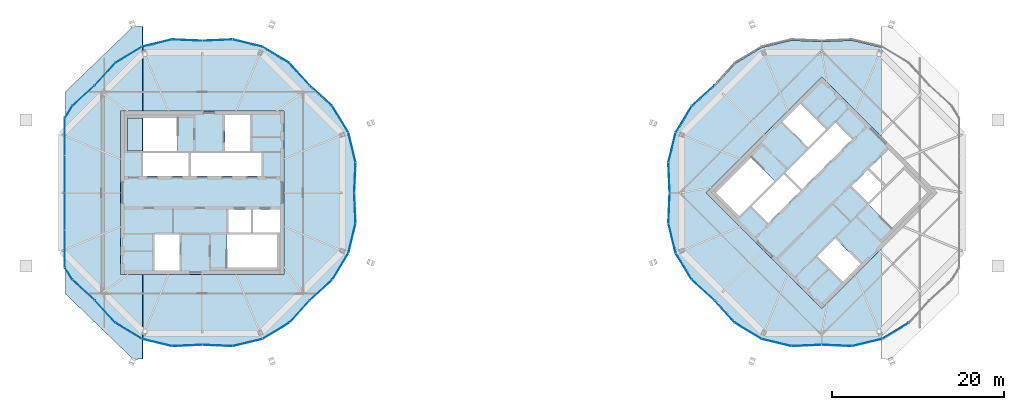
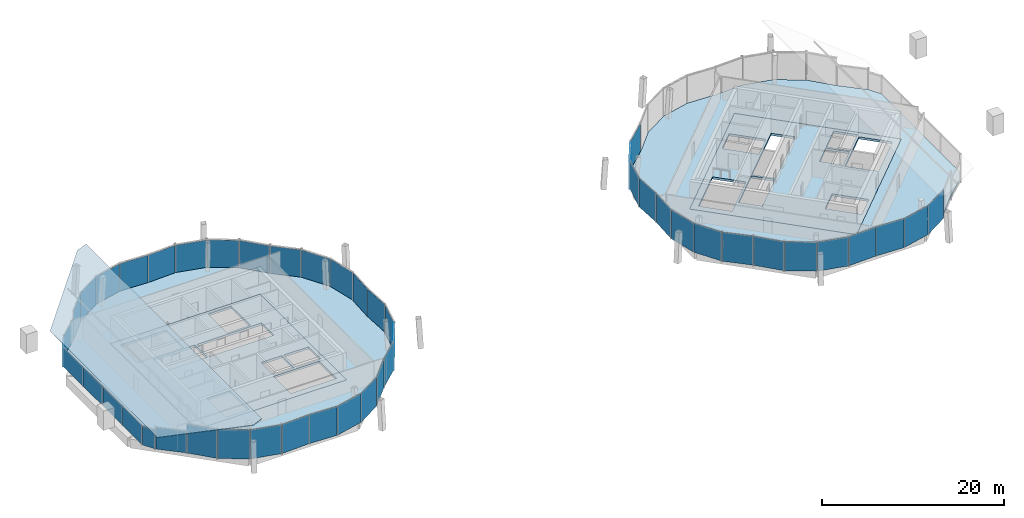
# One storey, part 17 of 23: 48 plates, 4 slabs, 13 elements without a shape of their own.
"""IFC4 building model written with IfcOpenShell, lengths in metres."""

from ifc_helpers import new_model, si_unit, direction, frame, origin, origin_2d, place, context, subcontext, project, spatial, polyline, rectangle, outline, extrude, material, layer, layer_set, type_object, element, aggregate, save


model = new_model("IFC4")

# Units and contexts
model_context = context("Model", 3, precision=1e-05, world=origin(), true_north=direction((0.0, 1.0)))
body_context = subcontext(model_context, "Body", "Model", "MODEL_VIEW")
ifc_project = project(units=[si_unit("LENGTHUNIT", "METRE"), si_unit("AREAUNIT", "SQUARE_METRE"), si_unit("VOLUMEUNIT", "CUBIC_METRE"), si_unit("PLANEANGLEUNIT", "RADIAN"), si_unit("MASSUNIT", "GRAM", prefix="KILO")], contexts=[model_context])

# Site, building, storey
site_placement = place(None, origin())
site = spatial("IfcSite", under=ifc_project, at=site_placement, CompositionType="ELEMENT")
building_placement = place(site_placement, origin())
building = spatial("IfcBuilding", under=site, at=building_placement, Name="Ogive Gate Towers", CompositionType="ELEMENT")
storey_placement = place(building_placement, frame((0.0, 0.0, 302.0)))
storey = spatial("IfcBuildingStorey", under=building, at=storey_placement, Name="L71", CompositionType="ELEMENT", Elevation=302.0)

# Slabs
ifc_material_1 = material(Name="Concrete C40/50", Category="concrete")
ifc_layer_1 = layer(ifc_material_1, 0.300048828125)
ifc_layer_set_1 = layer_set([ifc_layer_1], Name="Core slab C40/50 300 mm")
slab_type_1 = type_object("IfcSlabType", Name="Core slab C40/50 300 mm", PredefinedType="FLOOR", material=ifc_layer_set_1)
slab_1_placement = place(storey_placement, frame((0.0, 0.0, -0.300048828125)))
element("IfcSlab", 1, at=slab_1_placement, inside=storey, type_object=slab_type_1, Name="T1 L71 core slab", PredefinedType="FLOOR", context=body_context, shape_type="SweptSolid", body=[
    extrude(outline(polyline([(-45.5, -9.5), (-45.5, 9.5), (-26.5, 9.5), (-26.5, -9.5), (-45.5, -9.5)]), holes=[polyline([(-42.875, 1.925048828125), (-37.574951171875, 1.925048828125), (-37.574951171875, 4.625), (-42.875, 4.625), (-42.875, 1.925048828125)]), polyline([(-37.324951171875, 4.625), (-37.324951171875, 1.925048828125), (-29.125, 1.925048828125), (-29.125, 4.625), (-37.324951171875, 4.625)]), polyline([(-30.324951171875, -1.925048828125), (-32.97509765625, -1.925048828125), (-32.97509765625, -4.625), (-30.324951171875, -4.625), (-30.324951171875, -1.925048828125)]), polyline([(-26.949951171875, -4.625), (-26.949951171875, -1.925048828125), (-30.074951171875, -1.925048828125), (-30.074951171875, -4.625), (-26.949951171875, -4.625)]), polyline([(-33.375, 4.875), (-30.425048828125, 4.875), (-30.425048828125, 9.050048828125), (-33.375, 9.050048828125), (-33.375, 4.875)]), polyline([(-41.574951171875, -4.875), (-41.574951171875, -9.050048828125), (-38.625, -9.050048828125), (-38.625, -4.875), (-41.574951171875, -4.875)]), polyline([(-44.699951171875, 4.875), (-38.885009765625, 4.875), (-38.885009765625, 8.699951171875), (-44.699951171875, 8.699951171875), (-44.699951171875, 4.875)]), polyline([(-27.300048828125, -8.699951171875), (-27.300048828125, -4.875), (-33.114990234375, -4.875), (-33.114990234375, -8.699951171875), (-27.300048828125, -8.699951171875)])]), origin(), (0.0, 0.0, 1.0), 0.300048828125),
])
slab_2_placement = place(storey_placement, frame((0.0, 0.0, -0.300048828125)))
element("IfcSlab", 2, at=slab_2_placement, inside=storey, type_object=slab_type_1, Name="T2 L71 core slab", PredefinedType="FLOOR", context=body_context, shape_type="SweptSolid", body=[
    extrude(outline(polyline([(36.0, -13.43505859375), (22.56494140625, 0.0), (36.0, 13.43505859375), (49.43505859375, 0.0), (36.0, -13.43505859375)]), holes=[polyline([(29.777587890625, -3.500244140625), (33.525146484375, 0.24755859375), (31.615966796875, 2.15673828125), (27.868408203125, -1.591064453125), (29.777587890625, -3.500244140625)]), polyline([(31.792724609375, 2.33349609375), (33.701904296875, 0.42431640625), (39.500244140625, 6.222412109375), (37.591064453125, 8.131591796875), (31.792724609375, 2.33349609375)]), polyline([(41.3740234375, 2.651611328125), (39.500244140625, 0.77783203125), (41.409423828125, -1.13134765625), (43.283203125, 0.742431640625), (41.3740234375, 2.651611328125)]), polyline([(45.669677734375, 3.12890625), (43.760498046875, 5.0380859375), (41.55078125, 2.828369140625), (43.4599609375, 0.919189453125), (45.669677734375, 3.12890625)]), polyline([(34.408935546875, 5.30322265625), (36.4951171875, 7.389404296875), (33.542724609375, 10.34130859375), (31.456787109375, 8.255615234375), (34.408935546875, 5.30322265625)]), polyline([(35.5048828125, -7.389404296875), (38.457275390625, -10.34130859375), (40.543212890625, -8.255615234375), (37.591064453125, -5.30322265625), (35.5048828125, -7.389404296875)]), polyline([(26.40087890625, -2.70458984375), (30.512939453125, 1.406982421875), (27.80810546875, 4.11181640625), (23.6962890625, 0.0), (26.40087890625, -2.70458984375)]), polyline([(48.3037109375, 0.0), (45.59912109375, 2.70458984375), (41.487060546875, -1.406982421875), (44.19189453125, -4.11181640625), (48.3037109375, 0.0)])]), origin(), (0.0, 0.0, 1.0), 0.300048828125),
])

# Curtain wall, plates
ifc_material_2 = material(Name="Pale metal aluminium", Category="aluminium")
curtain_wall_type = type_object("IfcCurtainWallType", Name="Crown lean wall", PredefinedType="NOTDEFINED", material=ifc_material_2)
curtain_wall_1_placement = place(storey_placement, origin())
curtain_wall_1 = element("IfcCurtainWall", 3, at=curtain_wall_1_placement, inside=storey, type_object=curtain_wall_type, Name="CW5 T1 ECW01", PredefinedType="NOTDEFINED")
ifc_material_3 = material(Name="Clear glass", Category="glass")
ifc_layer_2 = layer(ifc_material_3, 0.028076171875)
ifc_layer_set_2 = layer_set([ifc_layer_2], Name="Crown lean wall glass panel")
plate_type_1 = type_object("IfcPlateType", Name="Crown lean wall glass panel", PredefinedType="CURTAIN_PANEL", material=ifc_layer_set_2)
plate_1_placement = place(storey_placement, frame((-22.206787109375, 11.297119140625, -0.2998046875), z_axis=(0.0, 0.0, 1.0), x_axis=(0.737088647689, -0.675796067943, 0.0)))
plate_1 = element("IfcPlate", 4, at=plate_1_placement, type_object=plate_type_1, Name="CW5 glass panel", PredefinedType="CURTAIN_PANEL", context=body_context, shape_type="SweptSolid", body=[
    extrude(rectangle(XDim=3.489501953125, YDim=0.028076171875, at=origin_2d()), origin(), (0.0, 0.0, 1.0), 3.904052734375),
])
plate_2_placement = place(storey_placement, frame((-19.966796875, 8.564453125, -0.2998046875), z_axis=(0.0, 0.0, 1.0), x_axis=(0.519891890411, -0.854232065826, 0.0)))
plate_2 = element("IfcPlate", 5, at=plate_2_placement, type_object=plate_type_1, Name="CW5 glass panel", PredefinedType="CURTAIN_PANEL", context=body_context, shape_type="SweptSolid", body=[
    extrude(rectangle(XDim=3.544189453125, YDim=0.028076171875, at=origin_2d()), origin(), (0.0, 0.0, 1.0), 3.904052734375),
])
plate_3_placement = place(storey_placement, frame((-18.606689453125, 5.28125, -0.2998046875), z_axis=(0.0, 0.0, 1.0), x_axis=(0.236414205259, -0.971652367646, 0.0)))
plate_3 = element("IfcPlate", 6, at=plate_3_placement, type_object=plate_type_1, Name="CW5 glass panel", PredefinedType="CURTAIN_PANEL", context=body_context, shape_type="SweptSolid", body=[
    extrude(rectangle(XDim=3.5439453125, YDim=0.028076171875, at=origin_2d()), origin(), (0.0, 0.0, 1.0), 3.904052734375),
])
plate_4_placement = place(storey_placement, frame((-18.25830078125, 1.76513671875, -0.2998046875), z_axis=(0.0, 0.0, 1.0), x_axis=(-0.043340398775, -0.999060363459, 0.0)))
plate_4 = element("IfcPlate", 7, at=plate_4_placement, type_object=plate_type_1, Name="CW5 glass panel", PredefinedType="CURTAIN_PANEL", context=body_context, shape_type="SweptSolid", body=[
    extrude(rectangle(XDim=3.489501953125, YDim=0.028076171875, at=origin_2d()), origin(), (0.0, 0.0, 1.0), 3.904052734375),
])
aggregate(curtain_wall_1, [plate_1, plate_2, plate_3, plate_4])

curtain_wall_2_placement = place(storey_placement, origin())
curtain_wall_2 = element("IfcCurtainWall", 8, at=curtain_wall_2_placement, inside=storey, type_object=curtain_wall_type, Name="CW5 T1 ECW02", PredefinedType="NOTDEFINED")
plate_5_placement = place(storey_placement, frame((-34.23486328125, 17.74169921875, -0.2998046875), z_axis=(0.0, 0.0, 1.0), x_axis=(0.999060363459, 0.043340398775, 0.0)))
plate_5 = element("IfcPlate", 9, at=plate_5_placement, type_object=plate_type_1, Name="CW5 glass panel", PredefinedType="CURTAIN_PANEL", context=body_context, shape_type="SweptSolid", body=[
    extrude(rectangle(XDim=3.489501953125, YDim=0.028076171875, at=origin_2d()), origin(), (0.0, 0.0, 1.0), 3.904052734375),
])
plate_6_placement = place(storey_placement, frame((-30.71875, 17.393310546875, -0.2998046875), z_axis=(0.0, 0.0, 1.0), x_axis=(0.971652367646, -0.236414205259, 0.0)))
plate_6 = element("IfcPlate", 10, at=plate_6_placement, type_object=plate_type_1, Name="CW5 glass panel", PredefinedType="CURTAIN_PANEL", context=body_context, shape_type="SweptSolid", body=[
    extrude(rectangle(XDim=3.5439453125, YDim=0.028076171875, at=origin_2d()), origin(), (0.0, 0.0, 1.0), 3.904052734375),
])
plate_7_placement = place(storey_placement, frame((-27.435546875, 16.033203125, -0.2998046875), z_axis=(0.0, 0.0, 1.0), x_axis=(0.854232065826, -0.519891890411, 0.0)))
plate_7 = element("IfcPlate", 11, at=plate_7_placement, type_object=plate_type_1, Name="CW5 glass panel", PredefinedType="CURTAIN_PANEL", context=body_context, shape_type="SweptSolid", body=[
    extrude(rectangle(XDim=3.544189453125, YDim=0.028076171875, at=origin_2d()), origin(), (0.0, 0.0, 1.0), 3.904052734375),
])
plate_8_placement = place(storey_placement, frame((-24.702880859375, 13.793212890625, -0.2998046875), z_axis=(0.0, 0.0, 1.0), x_axis=(0.675796067943, -0.737088647689, 0.0)))
plate_8 = element("IfcPlate", 12, at=plate_8_placement, type_object=plate_type_1, Name="CW5 glass panel", PredefinedType="CURTAIN_PANEL", context=body_context, shape_type="SweptSolid", body=[
    extrude(rectangle(XDim=3.489501953125, YDim=0.028076171875, at=origin_2d()), origin(), (0.0, 0.0, 1.0), 3.904052734375),
])
aggregate(curtain_wall_2, [plate_5, plate_6, plate_7, plate_8])

curtain_wall_3_placement = place(storey_placement, origin())
curtain_wall_3 = element("IfcCurtainWall", 13, at=curtain_wall_3_placement, inside=storey, type_object=curtain_wall_type, Name="CW5 T1 ECW03", PredefinedType="NOTDEFINED")
plate_9_placement = place(storey_placement, frame((-47.297119140625, 13.793212890625, -0.2998046875), z_axis=(0.0, 0.0, 1.0), x_axis=(0.675796067943, 0.737088647689, 0.0)))
plate_9 = element("IfcPlate", 14, at=plate_9_placement, type_object=plate_type_1, Name="CW5 glass panel", PredefinedType="CURTAIN_PANEL", context=body_context, shape_type="SweptSolid", body=[
    extrude(rectangle(XDim=3.489501953125, YDim=0.028076171875, at=origin_2d()), origin(), (0.0, 0.0, 1.0), 3.904052734375),
])
plate_10_placement = place(storey_placement, frame((-44.564453125, 16.033203125, -0.2998046875), z_axis=(0.0, 0.0, 1.0), x_axis=(0.854232065826, 0.519891890411, 0.0)))
plate_10 = element("IfcPlate", 15, at=plate_10_placement, type_object=plate_type_1, Name="CW5 glass panel", PredefinedType="CURTAIN_PANEL", context=body_context, shape_type="SweptSolid", body=[
    extrude(rectangle(XDim=3.544189453125, YDim=0.028076171875, at=origin_2d()), origin(), (0.0, 0.0, 1.0), 3.904052734375),
])
plate_11_placement = place(storey_placement, frame((-41.28125, 17.393310546875, -0.2998046875), z_axis=(0.0, 0.0, 1.0), x_axis=(0.971652367646, 0.236414205259, 0.0)))
plate_11 = element("IfcPlate", 16, at=plate_11_placement, type_object=plate_type_1, Name="CW5 glass panel", PredefinedType="CURTAIN_PANEL", context=body_context, shape_type="SweptSolid", body=[
    extrude(rectangle(XDim=3.5439453125, YDim=0.028076171875, at=origin_2d()), origin(), (0.0, 0.0, 1.0), 3.904052734375),
])
plate_12_placement = place(storey_placement, frame((-37.76513671875, 17.74169921875, -0.2998046875), z_axis=(0.0, 0.0, 1.0), x_axis=(0.999060363459, -0.043340398775, 0.0)))
plate_12 = element("IfcPlate", 17, at=plate_12_placement, type_object=plate_type_1, Name="CW5 glass panel", PredefinedType="CURTAIN_PANEL", context=body_context, shape_type="SweptSolid", body=[
    extrude(rectangle(XDim=3.489501953125, YDim=0.028076171875, at=origin_2d()), origin(), (0.0, 0.0, 1.0), 3.904052734375),
])
aggregate(curtain_wall_3, [plate_9, plate_10, plate_11, plate_12])

# Curtain wall, plate
curtain_wall_4_placement = place(storey_placement, origin())
curtain_wall_4 = element("IfcCurtainWall", 18, at=curtain_wall_4_placement, inside=storey, type_object=curtain_wall_type, Name="CW5 T1 ECW04", PredefinedType="NOTDEFINED")
plate_13_placement = place(storey_placement, frame((-49.794921875, 11.2958984375, -0.2998046875), z_axis=(0.0, 0.0, 1.0), x_axis=(0.737088647689, 0.675796067943, 0.0)))
plate_13 = element("IfcPlate", 19, at=plate_13_placement, type_object=plate_type_1, Name="CW5 glass panel", PredefinedType="CURTAIN_PANEL", context=body_context, shape_type="SweptSolid", body=[
    extrude(rectangle(XDim=3.493408203125, YDim=0.028076171875, at=origin_2d()), origin(), (0.0, 0.0, 1.0), 2.929443359375),
])
aggregate(curtain_wall_4, [plate_13])

# Curtain wall, plates
curtain_wall_5_placement = place(storey_placement, origin())
curtain_wall_5 = element("IfcCurtainWall", 20, at=curtain_wall_5_placement, inside=storey, type_object=curtain_wall_type, Name="CW5 T1 ECW04b", PredefinedType="NOTDEFINED")
plate_14_placement = place(storey_placement, frame((-51.970703125, 2.1669921875, -0.300048828125), z_axis=(0.0, 0.0, 1.0), x_axis=(0.0, 1.0, 0.0)))
plate_14 = element("IfcPlate", 21, at=plate_14_placement, type_object=plate_type_1, Name="CW5 glass panel", PredefinedType="CURTAIN_PANEL", context=body_context, shape_type="SweptSolid", body=[
    extrude(rectangle(XDim=4.289794921875, YDim=0.028076171875, at=origin_2d()), origin(), (0.0, 0.0, 1.0), 2.583984375),
])
plate_15_placement = place(storey_placement, frame((-51.970703125, 6.497802734375, -0.300048828125), z_axis=(0.0, 0.0, 1.0), x_axis=(0.0, 1.0, 0.0)))
plate_15 = element("IfcPlate", 22, at=plate_15_placement, type_object=plate_type_1, Name="CW5 glass panel", PredefinedType="CURTAIN_PANEL", context=body_context, shape_type="SweptSolid", body=[
    extrude(rectangle(XDim=4.283935546875, YDim=0.028076171875, at=origin_2d()), origin(), (0.0, 0.0, 1.0), 2.583984375),
])
plate_16_placement = place(storey_placement, frame((-51.532958984375, 9.38671875, -0.2998046875), z_axis=(0.0, 0.0, 1.0), x_axis=(0.519906799494, 0.85422299187, 0.0)))
plate_16 = element("IfcPlate", 23, at=plate_16_placement, type_object=plate_type_1, Name="CW5 glass panel", PredefinedType="CURTAIN_PANEL", context=body_context, shape_type="SweptSolid", body=[
    extrude(rectangle(XDim=1.62744140625, YDim=0.028076171875, at=origin_2d()), origin(), (0.0, 0.0, 1.0), 2.539306640625),
])
aggregate(curtain_wall_5, [plate_14, plate_15, plate_16])

curtain_wall_6_placement = place(storey_placement, origin())
curtain_wall_6 = element("IfcCurtainWall", 24, at=curtain_wall_6_placement, inside=storey, type_object=curtain_wall_type, Name="CW5 T1 ECW05", PredefinedType="NOTDEFINED")
plate_17_placement = place(storey_placement, frame((-49.793212890625, -11.297119140625, -0.2998046875), z_axis=(0.0, 0.0, 1.0), x_axis=(-0.737088647689, 0.675796067943, 0.0)))
plate_17 = element("IfcPlate", 25, at=plate_17_placement, type_object=plate_type_1, Name="CW5 glass panel", PredefinedType="CURTAIN_PANEL", context=body_context, shape_type="SweptSolid", body=[
    extrude(rectangle(XDim=3.489501953125, YDim=0.028076171875, at=origin_2d()), origin(), (0.0, 0.0, 1.0), 2.929443359375),
])
plate_18_placement = place(storey_placement, frame((-51.533935546875, -9.385009765625, -0.2998046875), z_axis=(0.0, 0.0, 1.0), x_axis=(-0.519906799494, 0.85422299187, 0.0)))
plate_18 = element("IfcPlate", 26, at=plate_18_placement, type_object=plate_type_1, Name="CW5 glass panel", PredefinedType="CURTAIN_PANEL", context=body_context, shape_type="SweptSolid", body=[
    extrude(rectangle(XDim=1.62353515625, YDim=0.028076171875, at=origin_2d()), origin(), (0.0, 0.0, 1.0), 2.539306640625),
])
plate_19_placement = place(storey_placement, frame((-51.970703125, -6.497802734375, -0.300048828125), z_axis=(0.0, 0.0, 1.0), x_axis=(0.0, 1.0, 0.0)))
plate_19 = element("IfcPlate", 27, at=plate_19_placement, type_object=plate_type_1, Name="CW5 glass panel", PredefinedType="CURTAIN_PANEL", context=body_context, shape_type="SweptSolid", body=[
    extrude(rectangle(XDim=4.283935546875, YDim=0.028076171875, at=origin_2d()), origin(), (0.0, 0.0, 1.0), 2.583984375),
])
plate_20_placement = place(storey_placement, frame((-51.970703125, -2.1669921875, -0.300048828125), z_axis=(0.0, 0.0, 1.0), x_axis=(0.0, 1.0, 0.0)))
plate_20 = element("IfcPlate", 28, at=plate_20_placement, type_object=plate_type_1, Name="CW5 glass panel", PredefinedType="CURTAIN_PANEL", context=body_context, shape_type="SweptSolid", body=[
    extrude(rectangle(XDim=4.289794921875, YDim=0.028076171875, at=origin_2d()), origin(), (0.0, 0.0, 1.0), 2.583984375),
])
aggregate(curtain_wall_6, [plate_17, plate_18, plate_19, plate_20])

curtain_wall_7_placement = place(storey_placement, origin())
curtain_wall_7 = element("IfcCurtainWall", 29, at=curtain_wall_7_placement, inside=storey, type_object=curtain_wall_type, Name="CW5 T1 ECW06", PredefinedType="NOTDEFINED")
plate_21_placement = place(storey_placement, frame((-37.76513671875, -17.74169921875, -0.2998046875), z_axis=(0.0, 0.0, 1.0), x_axis=(-0.999060363459, -0.043340398775, 0.0)))
plate_21 = element("IfcPlate", 30, at=plate_21_placement, type_object=plate_type_1, Name="CW5 glass panel", PredefinedType="CURTAIN_PANEL", context=body_context, shape_type="SweptSolid", body=[
    extrude(rectangle(XDim=3.489501953125, YDim=0.028076171875, at=origin_2d()), origin(), (0.0, 0.0, 1.0), 3.904052734375),
])
plate_22_placement = place(storey_placement, frame((-41.28125, -17.393310546875, -0.2998046875), z_axis=(0.0, 0.0, 1.0), x_axis=(-0.971652367646, 0.236414205259, 0.0)))
plate_22 = element("IfcPlate", 31, at=plate_22_placement, type_object=plate_type_1, Name="CW5 glass panel", PredefinedType="CURTAIN_PANEL", context=body_context, shape_type="SweptSolid", body=[
    extrude(rectangle(XDim=3.5439453125, YDim=0.028076171875, at=origin_2d()), origin(), (0.0, 0.0, 1.0), 3.904052734375),
])
plate_23_placement = place(storey_placement, frame((-44.564453125, -16.033203125, -0.2998046875), z_axis=(0.0, 0.0, 1.0), x_axis=(-0.854232065826, 0.519891890411, 0.0)))
plate_23 = element("IfcPlate", 32, at=plate_23_placement, type_object=plate_type_1, Name="CW5 glass panel", PredefinedType="CURTAIN_PANEL", context=body_context, shape_type="SweptSolid", body=[
    extrude(rectangle(XDim=3.544189453125, YDim=0.028076171875, at=origin_2d()), origin(), (0.0, 0.0, 1.0), 3.904052734375),
])
plate_24_placement = place(storey_placement, frame((-47.297119140625, -13.793212890625, -0.2998046875), z_axis=(0.0, 0.0, 1.0), x_axis=(-0.675796067943, 0.737088647689, 0.0)))
plate_24 = element("IfcPlate", 33, at=plate_24_placement, type_object=plate_type_1, Name="CW5 glass panel", PredefinedType="CURTAIN_PANEL", context=body_context, shape_type="SweptSolid", body=[
    extrude(rectangle(XDim=3.489501953125, YDim=0.028076171875, at=origin_2d()), origin(), (0.0, 0.0, 1.0), 3.904052734375),
])
aggregate(curtain_wall_7, [plate_21, plate_22, plate_23, plate_24])

curtain_wall_8_placement = place(storey_placement, origin())
curtain_wall_8 = element("IfcCurtainWall", 34, at=curtain_wall_8_placement, inside=storey, type_object=curtain_wall_type, Name="CW5 T1 ECW07", PredefinedType="NOTDEFINED")
plate_25_placement = place(storey_placement, frame((-24.702880859375, -13.793212890625, -0.2998046875), z_axis=(0.0, 0.0, 1.0), x_axis=(-0.675796067943, -0.737088647689, 0.0)))
plate_25 = element("IfcPlate", 35, at=plate_25_placement, type_object=plate_type_1, Name="CW5 glass panel", PredefinedType="CURTAIN_PANEL", context=body_context, shape_type="SweptSolid", body=[
    extrude(rectangle(XDim=3.489501953125, YDim=0.028076171875, at=origin_2d()), origin(), (0.0, 0.0, 1.0), 3.904052734375),
])
plate_26_placement = place(storey_placement, frame((-27.435546875, -16.033203125, -0.2998046875), z_axis=(0.0, 0.0, 1.0), x_axis=(-0.854232065826, -0.519891890411, 0.0)))
plate_26 = element("IfcPlate", 36, at=plate_26_placement, type_object=plate_type_1, Name="CW5 glass panel", PredefinedType="CURTAIN_PANEL", context=body_context, shape_type="SweptSolid", body=[
    extrude(rectangle(XDim=3.544189453125, YDim=0.028076171875, at=origin_2d()), origin(), (0.0, 0.0, 1.0), 3.904052734375),
])
plate_27_placement = place(storey_placement, frame((-30.71875, -17.393310546875, -0.2998046875), z_axis=(0.0, 0.0, 1.0), x_axis=(-0.971652367646, -0.236414205259, 0.0)))
plate_27 = element("IfcPlate", 37, at=plate_27_placement, type_object=plate_type_1, Name="CW5 glass panel", PredefinedType="CURTAIN_PANEL", context=body_context, shape_type="SweptSolid", body=[
    extrude(rectangle(XDim=3.5439453125, YDim=0.028076171875, at=origin_2d()), origin(), (0.0, 0.0, 1.0), 3.904052734375),
])
plate_28_placement = place(storey_placement, frame((-34.23486328125, -17.74169921875, -0.2998046875), z_axis=(0.0, 0.0, 1.0), x_axis=(-0.999060363459, 0.043340398775, 0.0)))
plate_28 = element("IfcPlate", 38, at=plate_28_placement, type_object=plate_type_1, Name="CW5 glass panel", PredefinedType="CURTAIN_PANEL", context=body_context, shape_type="SweptSolid", body=[
    extrude(rectangle(XDim=3.489501953125, YDim=0.028076171875, at=origin_2d()), origin(), (0.0, 0.0, 1.0), 3.904052734375),
])
aggregate(curtain_wall_8, [plate_25, plate_26, plate_27, plate_28])

curtain_wall_9_placement = place(storey_placement, origin())
curtain_wall_9 = element("IfcCurtainWall", 39, at=curtain_wall_9_placement, inside=storey, type_object=curtain_wall_type, Name="CW5 T1 ECW08", PredefinedType="NOTDEFINED")
plate_29_placement = place(storey_placement, frame((-18.25830078125, -1.76513671875, -0.2998046875), z_axis=(0.0, 0.0, 1.0), x_axis=(0.043340398775, -0.999060363459, 0.0)))
plate_29 = element("IfcPlate", 40, at=plate_29_placement, type_object=plate_type_1, Name="CW5 glass panel", PredefinedType="CURTAIN_PANEL", context=body_context, shape_type="SweptSolid", body=[
    extrude(rectangle(XDim=3.489501953125, YDim=0.028076171875, at=origin_2d()), origin(), (0.0, 0.0, 1.0), 3.904052734375),
])
plate_30_placement = place(storey_placement, frame((-18.606689453125, -5.28125, -0.2998046875), z_axis=(0.0, 0.0, 1.0), x_axis=(-0.236414205259, -0.971652367646, 0.0)))
plate_30 = element("IfcPlate", 41, at=plate_30_placement, type_object=plate_type_1, Name="CW5 glass panel", PredefinedType="CURTAIN_PANEL", context=body_context, shape_type="SweptSolid", body=[
    extrude(rectangle(XDim=3.5439453125, YDim=0.028076171875, at=origin_2d()), origin(), (0.0, 0.0, 1.0), 3.904052734375),
])
plate_31_placement = place(storey_placement, frame((-19.966796875, -8.564453125, -0.2998046875), z_axis=(0.0, 0.0, 1.0), x_axis=(-0.519891890411, -0.854232065826, 0.0)))
plate_31 = element("IfcPlate", 42, at=plate_31_placement, type_object=plate_type_1, Name="CW5 glass panel", PredefinedType="CURTAIN_PANEL", context=body_context, shape_type="SweptSolid", body=[
    extrude(rectangle(XDim=3.544189453125, YDim=0.028076171875, at=origin_2d()), origin(), (0.0, 0.0, 1.0), 3.904052734375),
])
plate_32_placement = place(storey_placement, frame((-22.206787109375, -11.297119140625, -0.2998046875), z_axis=(0.0, 0.0, 1.0), x_axis=(-0.737088647689, -0.675796067943, 0.0)))
plate_32 = element("IfcPlate", 43, at=plate_32_placement, type_object=plate_type_1, Name="CW5 glass panel", PredefinedType="CURTAIN_PANEL", context=body_context, shape_type="SweptSolid", body=[
    extrude(rectangle(XDim=3.489501953125, YDim=0.028076171875, at=origin_2d()), origin(), (0.0, 0.0, 1.0), 3.904052734375),
])
aggregate(curtain_wall_9, [plate_29, plate_30, plate_31, plate_32])

curtain_wall_10_placement = place(storey_placement, origin())
curtain_wall_10 = element("IfcCurtainWall", 44, at=curtain_wall_10_placement, inside=storey, type_object=curtain_wall_type, Name="CW5 T2 ECW04", PredefinedType="NOTDEFINED")
plate_33_placement = place(storey_placement, frame((18.25830078125, 1.76513671875, -0.2998046875), z_axis=(0.0, 0.0, 1.0), x_axis=(-0.043340398775, 0.999060363459, 0.0)))
plate_33 = element("IfcPlate", 45, at=plate_33_placement, type_object=plate_type_1, Name="CW5 glass panel", PredefinedType="CURTAIN_PANEL", context=body_context, shape_type="SweptSolid", body=[
    extrude(rectangle(XDim=3.489501953125, YDim=0.028076171875, at=origin_2d()), origin(), (0.0, 0.0, 1.0), 3.904052734375),
])
plate_34_placement = place(storey_placement, frame((18.606689453125, 5.28125, -0.2998046875), z_axis=(0.0, 0.0, 1.0), x_axis=(0.236414205259, 0.971652367646, 0.0)))
plate_34 = element("IfcPlate", 46, at=plate_34_placement, type_object=plate_type_1, Name="CW5 glass panel", PredefinedType="CURTAIN_PANEL", context=body_context, shape_type="SweptSolid", body=[
    extrude(rectangle(XDim=3.5439453125, YDim=0.028076171875, at=origin_2d()), origin(), (0.0, 0.0, 1.0), 3.904052734375),
])
plate_35_placement = place(storey_placement, frame((19.966796875, 8.564453125, -0.2998046875), z_axis=(0.0, 0.0, 1.0), x_axis=(0.519891890411, 0.854232065826, 0.0)))
plate_35 = element("IfcPlate", 47, at=plate_35_placement, type_object=plate_type_1, Name="CW5 glass panel", PredefinedType="CURTAIN_PANEL", context=body_context, shape_type="SweptSolid", body=[
    extrude(rectangle(XDim=3.544189453125, YDim=0.028076171875, at=origin_2d()), origin(), (0.0, 0.0, 1.0), 3.904052734375),
])
plate_36_placement = place(storey_placement, frame((22.206787109375, 11.297119140625, -0.2998046875), z_axis=(0.0, 0.0, 1.0), x_axis=(0.737088647689, 0.675796067943, 0.0)))
plate_36 = element("IfcPlate", 48, at=plate_36_placement, type_object=plate_type_1, Name="CW5 glass panel", PredefinedType="CURTAIN_PANEL", context=body_context, shape_type="SweptSolid", body=[
    extrude(rectangle(XDim=3.489501953125, YDim=0.028076171875, at=origin_2d()), origin(), (0.0, 0.0, 1.0), 3.904052734375),
])
aggregate(curtain_wall_10, [plate_33, plate_34, plate_35, plate_36])

curtain_wall_11_placement = place(storey_placement, origin())
curtain_wall_11 = element("IfcCurtainWall", 49, at=curtain_wall_11_placement, inside=storey, type_object=curtain_wall_type, Name="CW5 T2 ECW05", PredefinedType="NOTDEFINED")
plate_37_placement = place(storey_placement, frame((22.206787109375, -11.297119140625, -0.2998046875), z_axis=(0.0, 0.0, 1.0), x_axis=(-0.737088647689, 0.675796067943, 0.0)))
plate_37 = element("IfcPlate", 50, at=plate_37_placement, type_object=plate_type_1, Name="CW5 glass panel", PredefinedType="CURTAIN_PANEL", context=body_context, shape_type="SweptSolid", body=[
    extrude(rectangle(XDim=3.489501953125, YDim=0.028076171875, at=origin_2d()), origin(), (0.0, 0.0, 1.0), 3.904052734375),
])
plate_38_placement = place(storey_placement, frame((19.966796875, -8.564453125, -0.2998046875), z_axis=(0.0, 0.0, 1.0), x_axis=(-0.519891890411, 0.854232065826, 0.0)))
plate_38 = element("IfcPlate", 51, at=plate_38_placement, type_object=plate_type_1, Name="CW5 glass panel", PredefinedType="CURTAIN_PANEL", context=body_context, shape_type="SweptSolid", body=[
    extrude(rectangle(XDim=3.544189453125, YDim=0.028076171875, at=origin_2d()), origin(), (0.0, 0.0, 1.0), 3.904052734375),
])
plate_39_placement = place(storey_placement, frame((18.606689453125, -5.28125, -0.2998046875), z_axis=(0.0, 0.0, 1.0), x_axis=(-0.236414205259, 0.971652367646, 0.0)))
plate_39 = element("IfcPlate", 52, at=plate_39_placement, type_object=plate_type_1, Name="CW5 glass panel", PredefinedType="CURTAIN_PANEL", context=body_context, shape_type="SweptSolid", body=[
    extrude(rectangle(XDim=3.5439453125, YDim=0.028076171875, at=origin_2d()), origin(), (0.0, 0.0, 1.0), 3.904052734375),
])
plate_40_placement = place(storey_placement, frame((18.25830078125, -1.76513671875, -0.2998046875), z_axis=(0.0, 0.0, 1.0), x_axis=(0.043340398775, 0.999060363459, 0.0)))
plate_40 = element("IfcPlate", 53, at=plate_40_placement, type_object=plate_type_1, Name="CW5 glass panel", PredefinedType="CURTAIN_PANEL", context=body_context, shape_type="SweptSolid", body=[
    extrude(rectangle(XDim=3.489501953125, YDim=0.028076171875, at=origin_2d()), origin(), (0.0, 0.0, 1.0), 3.904052734375),
])
aggregate(curtain_wall_11, [plate_37, plate_38, plate_39, plate_40])

curtain_wall_12_placement = place(storey_placement, origin())
curtain_wall_12 = element("IfcCurtainWall", 54, at=curtain_wall_12_placement, inside=storey, type_object=curtain_wall_type, Name="CW5 T2 ECW06", PredefinedType="NOTDEFINED")
plate_41_placement = place(storey_placement, frame((34.23486328125, -17.74169921875, -0.2998046875), z_axis=(0.0, 0.0, 1.0), x_axis=(-0.999060363459, -0.043340398775, 0.0)))
plate_41 = element("IfcPlate", 55, at=plate_41_placement, type_object=plate_type_1, Name="CW5 glass panel", PredefinedType="CURTAIN_PANEL", context=body_context, shape_type="SweptSolid", body=[
    extrude(rectangle(XDim=3.489501953125, YDim=0.028076171875, at=origin_2d()), origin(), (0.0, 0.0, 1.0), 3.904052734375),
])
plate_42_placement = place(storey_placement, frame((30.71875, -17.393310546875, -0.2998046875), z_axis=(0.0, 0.0, 1.0), x_axis=(-0.971652367646, 0.236414205259, 0.0)))
plate_42 = element("IfcPlate", 56, at=plate_42_placement, type_object=plate_type_1, Name="CW5 glass panel", PredefinedType="CURTAIN_PANEL", context=body_context, shape_type="SweptSolid", body=[
    extrude(rectangle(XDim=3.5439453125, YDim=0.028076171875, at=origin_2d()), origin(), (0.0, 0.0, 1.0), 3.904052734375),
])
plate_43_placement = place(storey_placement, frame((27.435546875, -16.033203125, -0.2998046875), z_axis=(0.0, 0.0, 1.0), x_axis=(-0.854232065826, 0.519891890411, 0.0)))
plate_43 = element("IfcPlate", 57, at=plate_43_placement, type_object=plate_type_1, Name="CW5 glass panel", PredefinedType="CURTAIN_PANEL", context=body_context, shape_type="SweptSolid", body=[
    extrude(rectangle(XDim=3.544189453125, YDim=0.028076171875, at=origin_2d()), origin(), (0.0, 0.0, 1.0), 3.904052734375),
])
plate_44_placement = place(storey_placement, frame((24.702880859375, -13.793212890625, -0.2998046875), z_axis=(0.0, 0.0, 1.0), x_axis=(-0.675796067943, 0.737088647689, 0.0)))
plate_44 = element("IfcPlate", 58, at=plate_44_placement, type_object=plate_type_1, Name="CW5 glass panel", PredefinedType="CURTAIN_PANEL", context=body_context, shape_type="SweptSolid", body=[
    extrude(rectangle(XDim=3.489501953125, YDim=0.028076171875, at=origin_2d()), origin(), (0.0, 0.0, 1.0), 3.904052734375),
])
aggregate(curtain_wall_12, [plate_41, plate_42, plate_43, plate_44])

curtain_wall_13_placement = place(storey_placement, origin())
curtain_wall_13 = element("IfcCurtainWall", 59, at=curtain_wall_13_placement, inside=storey, type_object=curtain_wall_type, Name="CW5 T2 ECW07", PredefinedType="NOTDEFINED")
plate_45_placement = place(storey_placement, frame((44.564453125, -16.033203125, -0.2998046875), z_axis=(0.0, 0.0, 1.0), x_axis=(-0.854232065826, -0.519891890411, 0.0)))
plate_45 = element("IfcPlate", 60, at=plate_45_placement, type_object=plate_type_1, Name="CW5 glass panel", PredefinedType="CURTAIN_PANEL", context=body_context, shape_type="SweptSolid", body=[
    extrude(rectangle(XDim=3.544189453125, YDim=0.028076171875, at=origin_2d()), origin(), (0.0, 0.0, 1.0), 3.904052734375),
])
plate_46_placement = place(storey_placement, frame((41.28125, -17.393310546875, -0.2998046875), z_axis=(0.0, 0.0, 1.0), x_axis=(-0.971652367646, -0.236414205259, 0.0)))
plate_46 = element("IfcPlate", 61, at=plate_46_placement, type_object=plate_type_1, Name="CW5 glass panel", PredefinedType="CURTAIN_PANEL", context=body_context, shape_type="SweptSolid", body=[
    extrude(rectangle(XDim=3.5439453125, YDim=0.028076171875, at=origin_2d()), origin(), (0.0, 0.0, 1.0), 3.904052734375),
])
plate_47_placement = place(storey_placement, frame((37.76513671875, -17.74169921875, -0.2998046875), z_axis=(0.0, 0.0, 1.0), x_axis=(-0.999060363459, 0.043340398775, 0.0)))
plate_47 = element("IfcPlate", 62, at=plate_47_placement, type_object=plate_type_1, Name="CW5 glass panel", PredefinedType="CURTAIN_PANEL", context=body_context, shape_type="SweptSolid", body=[
    extrude(rectangle(XDim=3.489501953125, YDim=0.028076171875, at=origin_2d()), origin(), (0.0, 0.0, 1.0), 3.904052734375),
])
aggregate(curtain_wall_13, [plate_45, plate_46, plate_47])

# Slabs
ifc_material_4 = material(Name="Concrete C35/45", Category="concrete")
ifc_layer_3 = layer(ifc_material_4, 0.300048828125)
ifc_layer_set_3 = layer_set([ifc_layer_3], Name="Floor slab 300")
slab_type_2 = type_object("IfcSlabType", Name="Floor slab 300", PredefinedType="FLOOR", material=ifc_layer_set_3)
slab_3_placement = place(storey_placement, frame((0.0, 0.0, -0.300048828125)))
element("IfcSlab", 63, at=slab_3_placement, inside=storey, type_object=slab_type_2, Name="T1/L71/SSL001", PredefinedType="FLOOR", context=body_context, shape_type="SweptSolid", body=[
    extrude(outline(polyline([(-48.42041015625, 12.42041015625), (-51.0205078125, 10.036376953125), (-51.87060546875, 8.6396484375), (-51.87060546875, -8.6396484375), (-51.0205078125, -10.036376953125), (-48.42041015625, -12.42041015625), (-46.036376953125, -15.0205078125), (-42.98974609375, -16.874755859375), (-39.5244140625, -17.7177734375), (-36.0, -17.56494140625), (-32.4755859375, -17.7177734375), (-29.01025390625, -16.874755859375), (-25.963623046875, -15.0205078125), (-23.57958984375, -12.42041015625), (-20.9794921875, -10.036376953125), (-19.125244140625, -6.98974609375), (-18.2822265625, -3.5244140625), (-18.43505859375, 0.0), (-18.2822265625, 3.5244140625), (-19.125244140625, 6.98974609375), (-20.9794921875, 10.036376953125), (-23.57958984375, 12.42041015625), (-25.963623046875, 15.0205078125), (-29.01025390625, 16.874755859375), (-32.4755859375, 17.7177734375), (-36.0, 17.56494140625), (-39.5244140625, 17.7177734375), (-42.98974609375, 16.874755859375), (-46.036376953125, 15.0205078125), (-48.42041015625, 12.42041015625)]), holes=[polyline([(-26.5, -9.5), (-45.5, -9.5), (-45.5, 9.5), (-26.5, 9.5), (-26.5, -9.5)])]), origin(), (0.0, 0.0, 1.0), 0.300048828125),
])
slab_4_placement = place(storey_placement, frame((0.0, 0.0, -0.300048828125)))
element("IfcSlab", 64, at=slab_4_placement, inside=storey, type_object=slab_type_2, Name="T2/L71/SSL001", PredefinedType="FLOOR", context=body_context, shape_type="SweptSolid", body=[
    extrude(outline(polyline([(48.42041015625, -12.42041015625), (51.0205078125, -10.036376953125), (51.87060546875, -8.6396484375), (51.87060546875, 8.6396484375), (51.0205078125, 10.036376953125), (48.42041015625, 12.42041015625), (46.036376953125, 15.0205078125), (42.98974609375, 16.874755859375), (39.5244140625, 17.7177734375), (36.0, 17.56494140625), (32.4755859375, 17.7177734375), (29.01025390625, 16.874755859375), (25.963623046875, 15.0205078125), (23.57958984375, 12.42041015625), (20.9794921875, 10.036376953125), (19.125244140625, 6.98974609375), (18.2822265625, 3.5244140625), (18.43505859375, 0.0), (18.2822265625, -3.5244140625), (19.125244140625, -6.98974609375), (20.9794921875, -10.036376953125), (23.57958984375, -12.42041015625), (25.963623046875, -15.0205078125), (29.01025390625, -16.874755859375), (32.4755859375, -17.7177734375), (36.0, -17.56494140625), (39.5244140625, -17.7177734375), (42.98974609375, -16.874755859375), (46.036376953125, -15.0205078125), (48.42041015625, -12.42041015625)]), holes=[polyline([(49.43505859375, 0.0), (36.0, -13.43505859375), (22.56494140625, 0.0), (36.0, 13.43505859375), (49.43505859375, 0.0)])]), origin(), (0.0, 0.0, 1.0), 0.300048828125),
])

# Plate
ifc_layer_4 = layer(ifc_material_3, 0.1201171875)
ifc_layer_set_4 = layer_set([ifc_layer_4], Name="Glazed crown roof")
plate_type_2 = type_object("IfcPlateType", Name="Glazed crown roof", PredefinedType="SHEET", material=ifc_layer_set_4)
plate_48_placement = place(storey_placement, frame((-42.929443359375, -19.33154296875, 6.531005859375), z_axis=(-0.408365819473, 0.0, 0.912818359525), x_axis=(-0.912578840282, -0.022906805535, -0.408258666203)))
element("IfcPlate", 65, at=plate_48_placement, inside=storey, type_object=plate_type_2, Name="Glazed crown roof", PredefinedType="SHEET", context=body_context, shape_type="SweptSolid", body=[
    extrude(outline(polyline([(0.0, 0.0), (1.1936954700437308, 8.673617379884035e-19), (9.619747917601929, -7.766096653943566), (9.079704318171176, -31.335594099229215), (0.3067949631725302, -38.70761407589587), (-0.8856477909435191, -38.652940925638596), (0.0, 0.0)])), origin(), (0.0, 0.0, -1.0), 0.1201171875),
])

save(model, "model.ifc")
